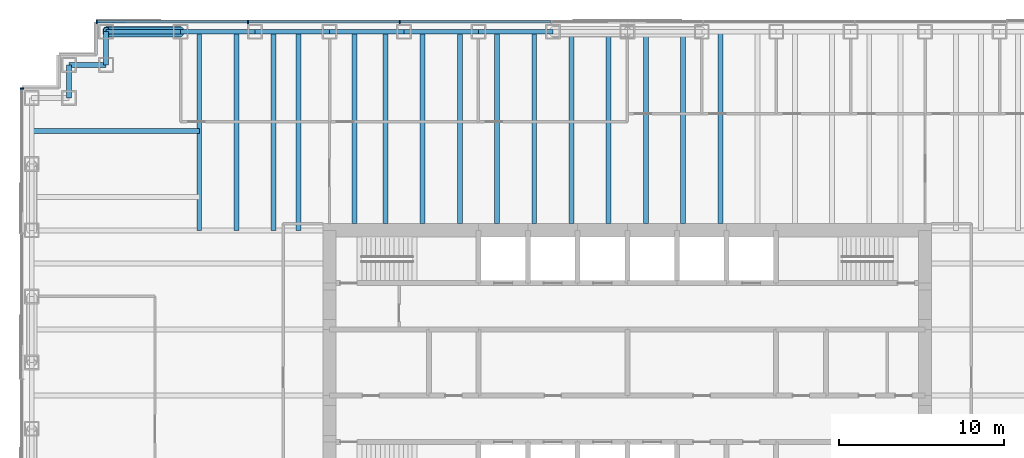
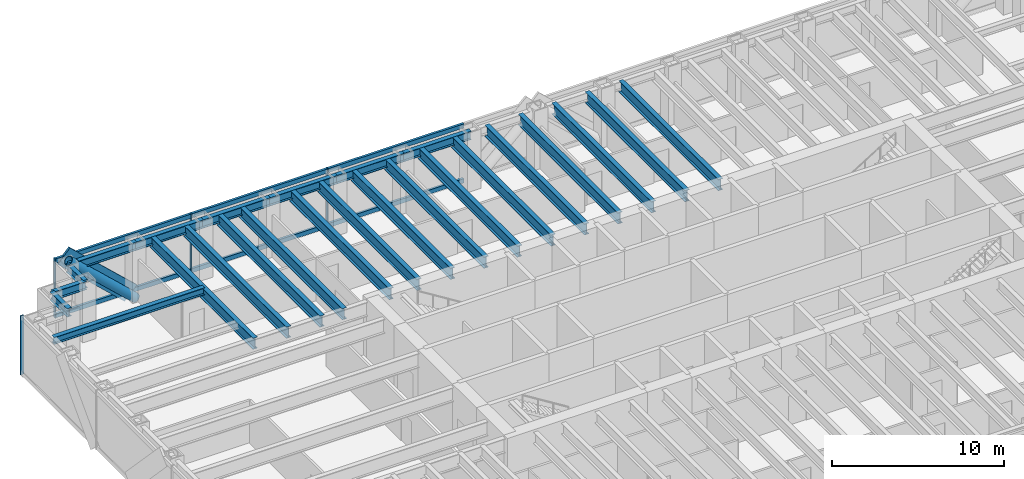
# One storey, part 5 of 14: 25 beams, 12 members, 2 elements without a shape of their own.
"""IFC4 building model written with IfcOpenShell, lengths in metres."""

from ifc_helpers import new_model, si_unit, direction, frame, origin, origin_2d, place, context, subcontext, project, spatial, rectangle, hollow_circle, i_section, extrude, material, material_profile, profile_set, type_object, element, aggregate, save


model = new_model("IFC4")

# Units and contexts
model_context = context("Model", 3, precision=1e-05, world=origin(), true_north=direction((0.0, 1.0)))
body_context = subcontext(model_context, "Body", "Model", "MODEL_VIEW")
ifc_project = project(units=[si_unit("LENGTHUNIT", "METRE"), si_unit("AREAUNIT", "SQUARE_METRE"), si_unit("VOLUMEUNIT", "CUBIC_METRE"), si_unit("PLANEANGLEUNIT", "RADIAN"), si_unit("MASSUNIT", "GRAM", prefix="KILO")], contexts=[model_context])

# Site, building, storey
site_placement = place(None, origin())
site = spatial("IfcSite", under=ifc_project, at=site_placement, CompositionType="ELEMENT")
building_placement = place(site_placement, origin())
building = spatial("IfcBuilding", under=site, at=building_placement, Name="Rheinbord Bourse Tower", CompositionType="ELEMENT")
storey_placement = place(building_placement, frame((0.0, 0.0, 211.0)))
storey = spatial("IfcBuildingStorey", under=building, at=storey_placement, Name="L47", CompositionType="ELEMENT", Elevation=211.0)

# Curtain wall, members
ifc_material_1 = material(Name="Dark glass and black aluminium", Category="aluminium")
curtain_wall_type = type_object("IfcCurtainWallType", Name="CW2 DARK GLASS CURTAIN WALL", PredefinedType="USERDEFINED", material=ifc_material_1)
curtain_wall_1_placement = place(storey_placement, origin())
curtain_wall_1 = element("IfcCurtainWall", 1, at=curtain_wall_1_placement, inside=storey, type_object=curtain_wall_type, Name="Curtain wall CW2 N L47", ObjectType="UNITISED CURTAIN WALL", PredefinedType="USERDEFINED")
ifc_material_2 = material(Name="Black anodised aluminium", Category="aluminium")
ifc_material_profile_1 = material_profile(ifc_material_2, rectangle(XDim=0.159912109375, YDim=1.2099609375, at=origin_2d()), Name="CW2 DIAGONAL MULLION 1210x160")
ifc_profile_set_1 = profile_set([ifc_material_profile_1], Name="Black anodised aluminium")
member_type_1 = type_object("IfcMemberType", Name="CW2 BLACK DIAGONAL MULLION", PredefinedType="USERDEFINED", material=ifc_profile_set_1)
member_1_placement = place(storey_placement, frame((9.0, 44.60009765625, 0.0), z_axis=(-0.73105922506, 0.0, 0.682314010889), x_axis=(0.0, -1.0, 0.0)))
member_1 = element("IfcMember", 2, at=member_1_placement, type_object=member_type_1, Name="CW2 diagonal mullion c", ObjectType="DIAGONAL MULLION", PredefinedType="USERDEFINED", context=body_context, shape_type="SweptSolid", body=[
    extrude(rectangle(XDim=0.159912109375, YDim=1.2099609375, at=origin_2d()), origin(), (0.0, 0.0, 1.0), 6.155517578125),
])
ifc_material_3 = material(Name="Black anodised aluminium", Category="aluminium")
ifc_material_profile_2 = material_profile(ifc_material_3, rectangle(XDim=0.219970703125, YDim=0.070068359375, at=origin_2d()), Name="CW2 MULLION 70x220")
ifc_profile_set_2 = profile_set([ifc_material_profile_2], Name="Black anodised aluminium")
member_type_2 = type_object("IfcMemberType", Name="CW2 BLACK MULLION", PredefinedType="MULLION", material=ifc_profile_set_2)
member_2_placement = place(storey_placement, frame((22.242919921875, 44.60009765625, 0.0), z_axis=(0.0, 0.0, 1.0), x_axis=(0.0, -1.0, 0.0)))
member_2 = element("IfcMember", 3, at=member_2_placement, type_object=member_type_2, Name="CW2 mullion 6", PredefinedType="MULLION", context=body_context, shape_type="SweptSolid", body=[
    extrude(rectangle(XDim=0.219970703125, YDim=0.070068359375, at=origin_2d()), origin(), (0.0, 0.0, 1.0), 4.199951171875),
])
member_3_placement = place(storey_placement, frame((13.071533203125, 44.60009765625, 0.0), z_axis=(0.0, 0.0, 1.0), x_axis=(0.0, -1.0, 0.0)))
member_3 = element("IfcMember", 4, at=member_3_placement, type_object=member_type_2, Name="CW2 mullion 7", PredefinedType="MULLION", context=body_context, shape_type="SweptSolid", body=[
    extrude(rectangle(XDim=0.219970703125, YDim=0.070068359375, at=origin_2d()), origin(), (0.0, 0.0, 1.0), 4.199951171875),
])
member_4_placement = place(storey_placement, frame((3.93505859375, 44.60009765625, 0.0), z_axis=(0.0, 0.0, 1.0), x_axis=(0.0, -1.0, 0.0)))
member_4 = element("IfcMember", 5, at=member_4_placement, type_object=member_type_2, Name="CW2 mullion 8", PredefinedType="MULLION", context=body_context, shape_type="SweptSolid", body=[
    extrude(rectangle(XDim=0.219970703125, YDim=0.070068359375, at=origin_2d()), origin(), (0.0, 0.0, 1.0), 4.199951171875),
])

# Curtain wall, member
curtain_wall_2_placement = place(storey_placement, origin())
curtain_wall_2 = element("IfcCurtainWall", 6, at=curtain_wall_2_placement, inside=storey, type_object=curtain_wall_type, Name="Curtain wall CW2 W L47", ObjectType="UNITISED CURTAIN WALL", PredefinedType="USERDEFINED")
member_5_placement = place(storey_placement, frame((-0.60009765625, 40.56494140625, 0.0), z_axis=(0.0, 0.0, 1.0), x_axis=(1.0, 0.0, 0.0)))
member_5 = element("IfcMember", 7, at=member_5_placement, type_object=member_type_2, Name="CW2 mullion 1", PredefinedType="MULLION", context=body_context, shape_type="SweptSolid", body=[
    extrude(rectangle(XDim=0.219970703125, YDim=0.070068359375, at=origin_2d()), origin(), (0.0, 0.0, 1.0), 4.199951171875),
])
aggregate(curtain_wall_2, [member_5])

# Member
ifc_material_4 = material(Name="Black anodised aluminium", Category="aluminium")
ifc_material_profile_3 = material_profile(ifc_material_4, rectangle(XDim=0.159912109375, YDim=0.300048828125, at=origin_2d()), Name="CW2 TRANSOM 300x160")
ifc_profile_set_3 = profile_set([ifc_material_profile_3], Name="Black anodised aluminium")
member_type_3 = type_object("IfcMemberType", Name="CW2 BLACK TRANSOM", PredefinedType="USERDEFINED", material=ifc_profile_set_3)
member_6_placement = place(storey_placement, frame((31.37939453125, 44.60009765625, 0.14990234375), z_axis=(-1.0, 0.0, 0.0), x_axis=(0.0, -1.0, 0.0)))
member_6 = element("IfcMember", 8, at=member_6_placement, type_object=member_type_3, Name="CW2 transom 5.1", ObjectType="TRANSOM", PredefinedType="USERDEFINED", context=body_context, shape_type="SweptSolid", body=[
    extrude(rectangle(XDim=0.159912109375, YDim=0.300048828125, at=origin_2d()), origin(), (0.0, 0.0, 1.0), 9.1015625),
])

member_7_placement = place(storey_placement, frame((31.37939453125, 44.60009765625, 4.050048828125), z_axis=(-1.0, 0.0, 0.0), x_axis=(0.0, -1.0, 0.0)))
member_7 = element("IfcMember", 9, at=member_7_placement, type_object=member_type_3, Name="CW2 transom 5.2", ObjectType="TRANSOM", PredefinedType="USERDEFINED", context=body_context, shape_type="SweptSolid", body=[
    extrude(rectangle(XDim=0.159912109375, YDim=0.300048828125, at=origin_2d()), origin(), (0.0, 0.0, 1.0), 9.1015625),
])

member_8_placement = place(storey_placement, frame((22.207763671875, 44.60009765625, 0.14990234375), z_axis=(-1.0, 0.0, 0.0), x_axis=(0.0, -1.0, 0.0)))
member_8 = element("IfcMember", 10, at=member_8_placement, type_object=member_type_3, Name="CW2 transom 6.1", ObjectType="TRANSOM", PredefinedType="USERDEFINED", context=body_context, shape_type="SweptSolid", body=[
    extrude(rectangle(XDim=0.159912109375, YDim=0.300048828125, at=origin_2d()), origin(), (0.0, 0.0, 1.0), 9.101318359375),
])

member_9_placement = place(storey_placement, frame((22.207763671875, 44.60009765625, 4.050048828125), z_axis=(-1.0, 0.0, 0.0), x_axis=(0.0, -1.0, 0.0)))
member_9 = element("IfcMember", 11, at=member_9_placement, type_object=member_type_3, Name="CW2 transom 6.2", ObjectType="TRANSOM", PredefinedType="USERDEFINED", context=body_context, shape_type="SweptSolid", body=[
    extrude(rectangle(XDim=0.159912109375, YDim=0.300048828125, at=origin_2d()), origin(), (0.0, 0.0, 1.0), 9.101318359375),
])

member_10_placement = place(storey_placement, frame((13.036376953125, 44.60009765625, 0.14990234375), z_axis=(-1.0, 0.0, 0.0), x_axis=(0.0, -1.0, 0.0)))
member_10 = element("IfcMember", 12, at=member_10_placement, type_object=member_type_3, Name="CW2 transom 7.1", ObjectType="TRANSOM", PredefinedType="USERDEFINED", context=body_context, shape_type="SweptSolid", body=[
    extrude(rectangle(XDim=0.159912109375, YDim=0.300048828125, at=origin_2d()), origin(), (0.0, 0.0, 1.0), 9.06640625),
])

member_11_placement = place(storey_placement, frame((13.036376953125, 44.60009765625, 4.050048828125), z_axis=(-1.0, 0.0, 0.0), x_axis=(0.0, -1.0, 0.0)))
member_11 = element("IfcMember", 13, at=member_11_placement, type_object=member_type_3, Name="CW2 transom 7.2", ObjectType="TRANSOM", PredefinedType="USERDEFINED", context=body_context, shape_type="SweptSolid", body=[
    extrude(rectangle(XDim=0.159912109375, YDim=0.300048828125, at=origin_2d()), origin(), (0.0, 0.0, 1.0), 9.06640625),
])

aggregate(curtain_wall_1, [member_2, member_3, member_4, member_6, member_7, member_8, member_9, member_10, member_11, member_1])

# Beams
ifc_material_5 = material(Name="Steel S460", Category="steel")
ifc_material_profile_4 = material_profile(ifc_material_5, i_section(OverallWidth=0.300048828125, OverallDepth=0.800048828125, WebThickness=0.017578125, FlangeThickness=0.032958984375, at=origin_2d()), Name="HEB 800")
ifc_profile_set_4 = profile_set([ifc_material_profile_4], Name="Steel S460")
beam_type_1 = type_object("IfcBeamType", Name="FLOOR BEAM HEB 800", PredefinedType="BEAM", material=ifc_profile_set_4)
for number, where, z_axis, x_axis, name in (
    (14, (10.125, 44.0, 3.639892578125), (0.0, -1.0, 0.0), (1.0, 0.0, 0.0), "Floor beam N-9a L48"),
    (15, (12.375, 44.0, 3.639892578125), (0.0, -1.0, 0.0), (1.0, 0.0, 0.0), "Floor beam N-9b L48"),
    (16, (14.625, 44.0, 3.639892578125), (0.0, -1.0, 0.0), (1.0, 0.0, 0.0), "Floor beam N-13.5a L48"),
    (17, (16.125, 44.0, 3.639892578125), (0.0, -1.0, 0.0), (1.0, 0.0, 0.0), "Floor beam N-13.5b L48"),
):
    element("IfcBeam", number, at=place(storey_placement, frame(where, z_axis=z_axis, x_axis=x_axis)), inside=storey, type_object=beam_type_1, Name=name, PredefinedType="BEAM", context=body_context, shape_type="SweptSolid", body=[
        extrude(i_section(OverallWidth=0.300048828125, OverallDepth=0.800048828125, WebThickness=0.017578125, FlangeThickness=0.032958984375, at=origin_2d()), origin(), (0.0, 0.0, 1.0), 12.0),
    ])
for number, where, z_axis, x_axis, name in (
    (18, (19.5, 44.0, 3.639892578125), (0.0, -1.0, 0.0), (1.0, 0.0, 0.0), "Floor beam N-18a L48"),
    (19, (21.375, 44.0, 3.639892578125), (0.0, -1.0, 0.0), (1.0, 0.0, 0.0), "Floor beam N-18b L48"),
    (20, (23.625, 44.0, 3.639892578125), (0.0, -1.0, 0.0), (1.0, 0.0, 0.0), "Floor beam N-22.5a L48"),
    (21, (25.875, 44.0, 3.639892578125), (0.0, -1.0, 0.0), (1.0, 0.0, 0.0), "Floor beam N-22.5b L48"),
    (22, (28.125, 44.0, 3.639892578125), (0.0, -1.0, 0.0), (1.0, 0.0, 0.0), "Floor beam N-27a L48"),
    (23, (30.375, 44.0, 3.639892578125), (0.0, -1.0, 0.0), (1.0, 0.0, 0.0), "Floor beam N-27b L48"),
    (24, (32.625, 44.0, 3.639892578125), (0.0, -1.0, 0.0), (1.0, 0.0, 0.0), "Floor beam N-31.5a L48"),
    (25, (34.875, 44.0, 3.639892578125), (0.0, -1.0, 0.0), (1.0, 0.0, 0.0), "Floor beam N-31.5b L48"),
    (26, (37.125, 44.0, 3.639892578125), (0.0, -1.0, 0.0), (1.0, 0.0, 0.0), "Floor beam N-36a L48"),
    (27, (39.375, 44.0, 3.639892578125), (0.0, -1.0, 0.0), (1.0, 0.0, 0.0), "Floor beam N-36b L48"),
    (28, (41.625, 44.0, 3.639892578125), (0.0, -1.0, 0.0), (1.0, 0.0, 0.0), "Floor beam N-40.5a L48"),
):
    element("IfcBeam", number, at=place(storey_placement, frame(where, z_axis=z_axis, x_axis=x_axis)), inside=storey, type_object=beam_type_1, Name=name, PredefinedType="BEAM", context=body_context, shape_type="SweptSolid", body=[
        extrude(i_section(OverallWidth=0.300048828125, OverallDepth=0.800048828125, WebThickness=0.017578125, FlangeThickness=0.032958984375, at=origin_2d()), origin(), (0.0, 0.0, 1.0), 11.60009765625),
    ])

# Member
ifc_material_6 = material(Name="Steel S460", Category="steel")
ifc_material_profile_5 = material_profile(ifc_material_6, hollow_circle(Radius=0.304931640625, WallThickness=0.0400390625, at=origin_2d()), Name="CHS 610x40")
ifc_profile_set_5 = profile_set([ifc_material_profile_5], Name="Steel S460")
member_type_4 = type_object("IfcMemberType", Name="MEGABRACE CHS 610x40", PredefinedType="BRACE", material=ifc_profile_set_5)
member_12_placement = place(storey_placement, frame((9.0, 44.0, 0.0), z_axis=(-0.73105922506, 0.0, 0.682314010889), x_axis=(0.0, -1.0, 0.0)))
element("IfcMember", 29, at=member_12_placement, inside=storey, type_object=member_type_4, Name="Megabrace N face line c L47", PredefinedType="BRACE", context=body_context, shape_type="SweptSolid", body=[
    extrude(hollow_circle(Radius=0.304931640625, WallThickness=0.0400390625, at=origin_2d()), origin(), (0.0, 0.0, 1.0), 6.155517578125),
])

# Beams
ifc_material_7 = material(Name="Steel S460", Category="steel")
ifc_material_profile_6 = material_profile(ifc_material_7, i_section(OverallWidth=0.300048828125, OverallDepth=0.60009765625, WebThickness=0.015380859375, FlangeThickness=0.030029296875, at=origin_2d()), Name="HEB 600")
ifc_profile_set_6 = profile_set([ifc_material_profile_6], Name="Steel S460")
beam_type_2 = type_object("IfcBeamType", Name="SPANDREL HEB 600", PredefinedType="SPANDREL", material=ifc_profile_set_6)
for number, where, z_axis, x_axis, name in (
    (30, (31.5, 44.0, 3.739990234375), (-1.0, 0.0, 0.0), (0.0, -1.0, 0.0), "Spandrel N-31.5-N-27 under L48"),
    (31, (27.0, 44.0, 3.739990234375), (-1.0, 0.0, 0.0), (0.0, -1.0, 0.0), "Spandrel N-27-N-22.5 under L48"),
    (32, (22.5, 44.0, 3.739990234375), (-1.0, 0.0, 0.0), (0.0, -1.0, 0.0), "Spandrel N-22.5-N-18 under L48"),
    (33, (18.0, 44.0, 3.739990234375), (-1.0, 0.0, 0.0), (0.0, -1.0, 0.0), "Spandrel N-18-N-13.5 under L48"),
    (34, (13.5, 44.0, 3.739990234375), (-1.0, 0.0, 0.0), (0.0, -1.0, 0.0), "Spandrel N-13.5-N-9 under L48"),
    (35, (9.0, 44.0, 3.739990234375), (-1.0, 0.0, 0.0), (0.0, -1.0, 0.0), "Spandrel N-9-NW-E under L48"),
):
    element("IfcBeam", number, at=place(storey_placement, frame(where, z_axis=z_axis, x_axis=x_axis)), inside=storey, type_object=beam_type_2, Name=name, PredefinedType="SPANDREL", context=body_context, shape_type="SweptSolid", body=[
        extrude(i_section(OverallWidth=0.300048828125, OverallDepth=0.60009765625, WebThickness=0.015380859375, FlangeThickness=0.030029296875, at=origin_2d()), origin(), (0.0, 0.0, 1.0), 4.5),
    ])
beam_1_placement = place(storey_placement, frame((4.5, 44.0, 3.739990234375), z_axis=(0.0, -1.0, 0.0), x_axis=(1.0, 0.0, 0.0)))
element("IfcBeam", 36, at=beam_1_placement, inside=storey, type_object=beam_type_2, Name="Spandrel NW-E-NW-D under L48", PredefinedType="SPANDREL", context=body_context, shape_type="SweptSolid", body=[
    extrude(i_section(OverallWidth=0.300048828125, OverallDepth=0.60009765625, WebThickness=0.015380859375, FlangeThickness=0.030029296875, at=origin_2d()), origin(), (0.0, 0.0, 1.0), 2.0),
])
beam_2_placement = place(storey_placement, frame((4.5, 42.0, 3.739990234375), z_axis=(-1.0, 0.0, 0.0), x_axis=(0.0, -1.0, 0.0)))
element("IfcBeam", 37, at=beam_2_placement, inside=storey, type_object=beam_type_2, Name="Spandrel NW-D-NW-C under L48", PredefinedType="SPANDREL", context=body_context, shape_type="SweptSolid", body=[
    extrude(i_section(OverallWidth=0.300048828125, OverallDepth=0.60009765625, WebThickness=0.015380859375, FlangeThickness=0.030029296875, at=origin_2d()), origin(), (0.0, 0.0, 1.0), 2.25),
])
beam_3_placement = place(storey_placement, frame((2.25, 42.0, 3.739990234375), z_axis=(0.0, -1.0, 0.0), x_axis=(1.0, 0.0, 0.0)))
element("IfcBeam", 38, at=beam_3_placement, inside=storey, type_object=beam_type_2, Name="Spandrel NW-C-NW-B under L48", PredefinedType="SPANDREL", context=body_context, shape_type="SweptSolid", body=[
    extrude(i_section(OverallWidth=0.300048828125, OverallDepth=0.60009765625, WebThickness=0.015380859375, FlangeThickness=0.030029296875, at=origin_2d()), origin(), (0.0, 0.0, 1.0), 2.0),
])
ifc_material_8 = material(Name="Steel S460", Category="steel")
ifc_material_profile_7 = material_profile(ifc_material_8, i_section(OverallWidth=0.300048828125, OverallDepth=0.5, WebThickness=0.014404296875, FlangeThickness=0.028076171875, at=origin_2d()), Name="HEB 500")
ifc_profile_set_7 = profile_set([ifc_material_profile_7], Name="Steel S460")
beam_type_3 = type_object("IfcBeamType", Name="TIE BEAM HEB 500", PredefinedType="JOIST", material=ifc_profile_set_7)
beam_4_placement = place(storey_placement, frame((0.0, 38.0, 3.7900390625), z_axis=(1.0, 0.0, 0.0), x_axis=(0.0, 1.0, 0.0)))
element("IfcBeam", 39, at=beam_4_placement, inside=storey, type_object=beam_type_3, Name="Tie west 38 L48", PredefinedType="JOIST", context=body_context, shape_type="SweptSolid", body=[
    extrude(i_section(OverallWidth=0.300048828125, OverallDepth=0.5, WebThickness=0.014404296875, FlangeThickness=0.028076171875, at=origin_2d()), origin(), (0.0, 0.0, 1.0), 10.125),
])

save(model, "model.ifc")
